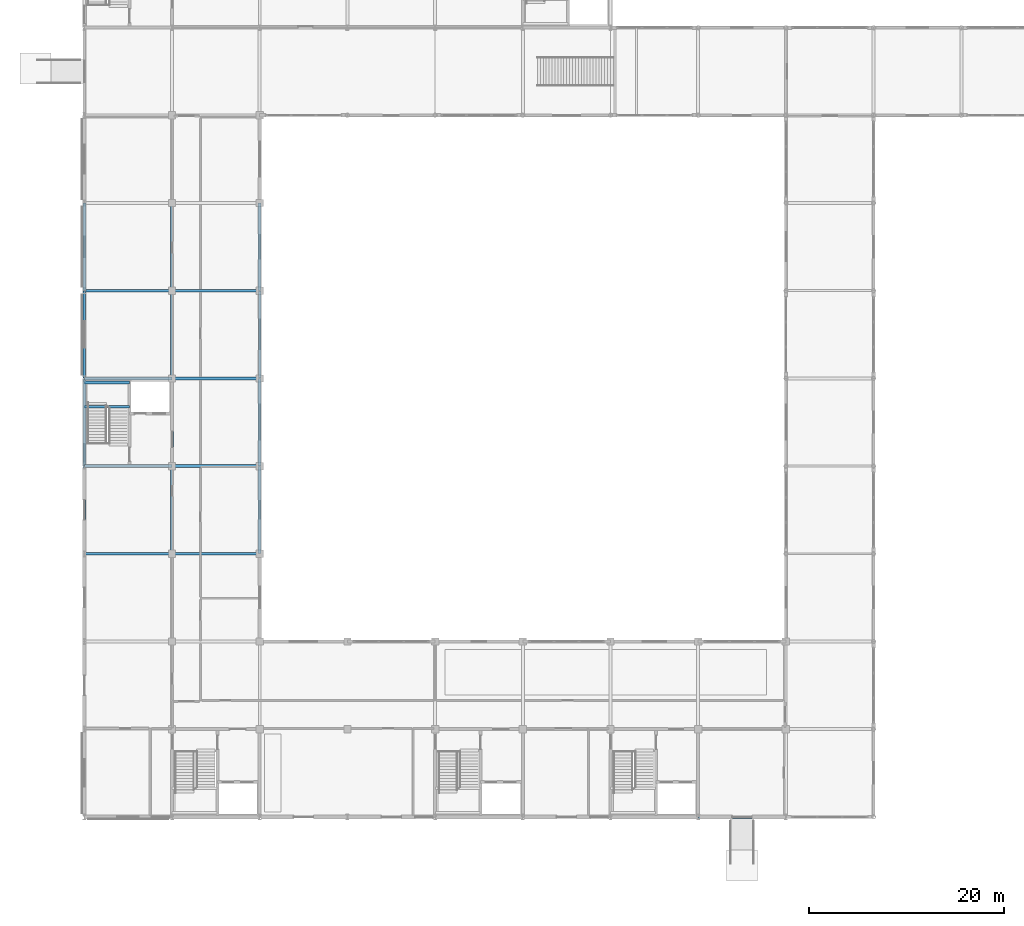
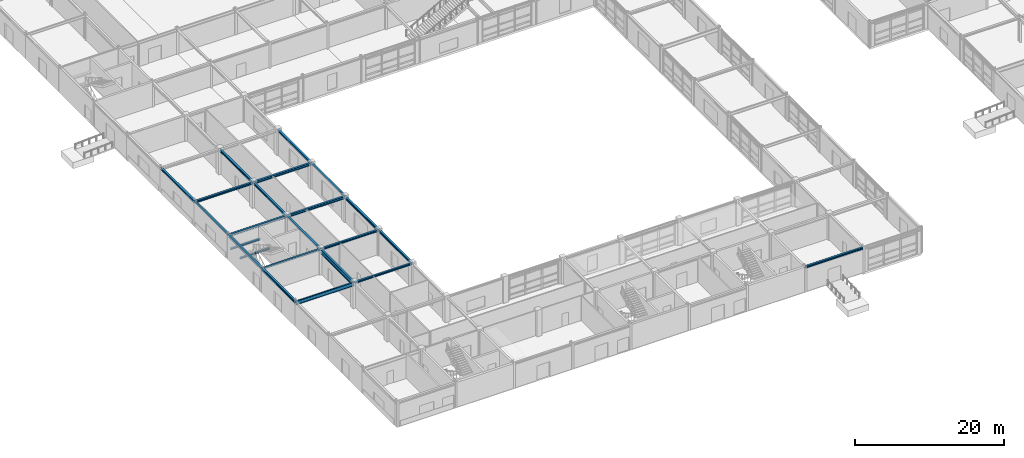
# One storey, part 22 of 72: 23 beams.
"""IFC4 building model written with IfcOpenShell, lengths in metres."""

from ifc_helpers import new_model, si_unit, direction, frame, origin, origin_2d, place, context, subcontext, project, spatial, i_section, extrude, material, material_profile, profile_set, type_object, element, save


model = new_model("IFC4")

# Units and contexts
model_context = context("Model", 3, precision=1e-05, world=origin(), true_north=direction((0.0, 1.0)))
body_context = subcontext(model_context, "Body", "Model", "MODEL_VIEW")
ifc_project = project(units=[si_unit("LENGTHUNIT", "METRE"), si_unit("AREAUNIT", "SQUARE_METRE"), si_unit("VOLUMEUNIT", "CUBIC_METRE"), si_unit("PLANEANGLEUNIT", "RADIAN"), si_unit("MASSUNIT", "GRAM", prefix="KILO")], contexts=[model_context])

# Site, building, storey
site_placement = place(None, origin())
site = spatial("IfcSite", under=ifc_project, at=site_placement, CompositionType="ELEMENT")
building_placement = place(site_placement, origin())
building = spatial("IfcBuilding", under=site, at=building_placement, Name="Palais des Congres Ocreval", CompositionType="ELEMENT")
storey_placement = place(building_placement, origin())
storey = spatial("IfcBuildingStorey", under=building, at=storey_placement, Name="L00", CompositionType="ELEMENT", Elevation=0.0)

# Beams
ifc_material = material(Name="Steel S355", Category="steel")
ifc_material_profile_1 = material_profile(ifc_material, i_section(OverallWidth=0.219970703125, OverallDepth=0.60009765625, WebThickness=0.011962890625, FlangeThickness=0.01904296875, at=origin_2d()), Name="IPE 600")
ifc_profile_set_1 = profile_set([ifc_material_profile_1], Name="Steel S355")
beam_type_1 = type_object("IfcBeamType", Name="Composite Beam IPE 600 Steel S355", PredefinedType="BEAM", material=ifc_profile_set_1)
beam_1_placement = place(storey_placement, frame((0.02001953125, 27.0, 3.7548828125), z_axis=(1.0, 0.0, 0.0), x_axis=(0.0, 1.0, 0.0)))
element("IfcBeam", 1, at=beam_1_placement, inside=storey, type_object=beam_type_1, Name="Beam B06 L00", PredefinedType="BEAM", context=body_context, shape_type="SweptSolid", body=[
    extrude(i_section(OverallWidth=0.219970703125, OverallDepth=0.60009765625, WebThickness=0.011962890625, FlangeThickness=0.01904296875, at=origin_2d()), origin(), (0.0, 0.0, 1.0), 8.9599609375),
])
ifc_material_profile_2 = material_profile(ifc_material, i_section(OverallWidth=0.260009765625, OverallDepth=0.260009765625, WebThickness=0.010009765625, FlangeThickness=0.017578125, at=origin_2d()), Name="HEB 260")
ifc_profile_set_2 = profile_set([ifc_material_profile_2], Name="Steel S355")
beam_type_2 = type_object("IfcBeamType", Name="Opening Lintel HEB 260 Steel S355", PredefinedType="LINTEL", material=ifc_profile_set_2)
for number, where, z_axis, x_axis, name in (
    (2, (0.0, 45.02001953125, 3.925048828125), (0.0, 1.0, 0.0), (-1.0, 0.0, 0.0), "Girder LN01 L00"),
    (3, (18.0, 45.02001953125, 3.925048828125), (0.0, 1.0, 0.0), (-1.0, 0.0, 0.0), "Girder LN01 L00"),
):
    element("IfcBeam", number, at=place(storey_placement, frame(where, z_axis=z_axis, x_axis=x_axis)), inside=storey, type_object=beam_type_2, Name=name, PredefinedType="LINTEL", context=body_context, shape_type="SweptSolid", body=[
        extrude(i_section(OverallWidth=0.260009765625, OverallDepth=0.260009765625, WebThickness=0.010009765625, FlangeThickness=0.017578125, at=origin_2d()), origin(), (0.0, 0.0, 1.0), 8.9599609375),
    ])
for number, where, z_axis, x_axis, name in (
    (4, (0.02001953125, 42.070068359375, 1.909912109375), (1.0, 0.0, 0.0), (0.0, 1.0, 0.0), "Stair Landing Support Beam ST03 L00-1"),
    (5, (0.02001953125, 44.580078125, 1.909912109375), (1.0, 0.0, 0.0), (0.0, 1.0, 0.0), "Stair Landing Support Beam ST03 L00-2"),
):
    element("IfcBeam", number, at=place(storey_placement, frame(where, z_axis=z_axis, x_axis=x_axis)), inside=storey, type_object=beam_type_2, Name=name, PredefinedType="LINTEL", context=body_context, shape_type="SweptSolid", body=[
        extrude(i_section(OverallWidth=0.260009765625, OverallDepth=0.260009765625, WebThickness=0.010009765625, FlangeThickness=0.017578125, at=origin_2d()), origin(), (0.0, 0.0, 1.0), 4.60986328125),
    ])
ifc_material_profile_3 = material_profile(ifc_material, i_section(OverallWidth=0.300048828125, OverallDepth=0.300048828125, WebThickness=0.010986328125, FlangeThickness=0.01904296875, at=origin_2d()), Name="HEB 300")
ifc_profile_set_3 = profile_set([ifc_material_profile_3], Name="Steel S355")
beam_type_3 = type_object("IfcBeamType", Name="Perimeter Spandrel HEB 300 Steel S355", PredefinedType="SPANDREL", material=ifc_profile_set_3)
for number, where, z_axis, x_axis, name in (
    (6, (0.0, 54.02001953125, 3.905029296875), (0.0, 1.0, 0.0), (-1.0, 0.0, 0.0), "Girder SP02 L00"),
    (7, (18.0, 54.02001953125, 3.905029296875), (0.0, 1.0, 0.0), (-1.0, 0.0, 0.0), "Girder SP02 L00"),
    (8, (63.02001953125, 0.0, 3.905029296875), (1.0, 0.0, 0.0), (0.0, 1.0, 0.0), "Beam SP02 L00"),
):
    element("IfcBeam", number, at=place(storey_placement, frame(where, z_axis=z_axis, x_axis=x_axis)), inside=storey, type_object=beam_type_3, Name=name, PredefinedType="SPANDREL", context=body_context, shape_type="SweptSolid", body=[
        extrude(i_section(OverallWidth=0.300048828125, OverallDepth=0.300048828125, WebThickness=0.010986328125, FlangeThickness=0.01904296875, at=origin_2d()), origin(), (0.0, 0.0, 1.0), 8.9599609375),
    ])
ifc_material_profile_4 = material_profile(ifc_material, i_section(OverallWidth=0.300048828125, OverallDepth=0.360107421875, WebThickness=0.012451171875, FlangeThickness=0.0224609375, at=origin_2d()), Name="HEB 360")
ifc_profile_set_4 = profile_set([ifc_material_profile_4], Name="Steel S355")
beam_type_4 = type_object("IfcBeamType", Name="Perimeter Spandrel HEB 360 Steel S355", PredefinedType="SPANDREL", material=ifc_profile_set_4)
for number, where, z_axis, x_axis, name in (
    (9, (0.0, 27.02001953125, 3.875), (0.0, 1.0, 0.0), (-1.0, 0.0, 0.0), "Girder SP03 L00"),
    (10, (0.02001953125, 45.0, 3.875), (1.0, 0.0, 0.0), (0.0, 1.0, 0.0), "Beam SP03 L00"),
    (11, (18.0, 27.02001953125, 3.875), (0.0, 1.0, 0.0), (-1.0, 0.0, 0.0), "Girder SP03 L00"),
):
    element("IfcBeam", number, at=place(storey_placement, frame(where, z_axis=z_axis, x_axis=x_axis)), inside=storey, type_object=beam_type_4, Name=name, PredefinedType="SPANDREL", context=body_context, shape_type="SweptSolid", body=[
        extrude(i_section(OverallWidth=0.300048828125, OverallDepth=0.360107421875, WebThickness=0.012451171875, FlangeThickness=0.0224609375, at=origin_2d()), origin(), (0.0, 0.0, 1.0), 8.9599609375),
    ])
ifc_material_profile_5 = material_profile(ifc_material, i_section(OverallWidth=0.300048828125, OverallDepth=0.39990234375, WebThickness=0.013427734375, FlangeThickness=0.02392578125, at=origin_2d()), Name="HEB 400")
ifc_profile_set_5 = profile_set([ifc_material_profile_5], Name="Steel S355")
beam_type_5 = type_object("IfcBeamType", Name="Perimeter Spandrel HEB 400 Steel S355", PredefinedType="SPANDREL", material=ifc_profile_set_5)
for number, where, z_axis, x_axis, name in (
    (12, (0.0, 36.02001953125, 3.85498046875), (0.0, 1.0, 0.0), (-1.0, 0.0, 0.0), "Girder SP04 L00"),
    (13, (9.02001953125, 45.0, 3.85498046875), (1.0, 0.0, 0.0), (0.0, 1.0, 0.0), "Beam SP04 L00"),
    (14, (18.0, 36.02001953125, 3.85498046875), (0.0, 1.0, 0.0), (-1.0, 0.0, 0.0), "Girder SP04 L00"),
):
    element("IfcBeam", number, at=place(storey_placement, frame(where, z_axis=z_axis, x_axis=x_axis)), inside=storey, type_object=beam_type_5, Name=name, PredefinedType="SPANDREL", context=body_context, shape_type="SweptSolid", body=[
        extrude(i_section(OverallWidth=0.300048828125, OverallDepth=0.39990234375, WebThickness=0.013427734375, FlangeThickness=0.02392578125, at=origin_2d()), origin(), (0.0, 0.0, 1.0), 8.9599609375),
    ])
ifc_material_profile_6 = material_profile(ifc_material, i_section(OverallWidth=0.280029296875, OverallDepth=0.27001953125, WebThickness=0.008056640625, FlangeThickness=0.012939453125, at=origin_2d()), Name="HEA 280")
ifc_profile_set_6 = profile_set([ifc_material_profile_6], Name="Steel S355")
beam_type_6 = type_object("IfcBeamType", Name="Primary Beam HEA 280 Steel S355", PredefinedType="BEAM", material=ifc_profile_set_6)
for number, where, z_axis, x_axis, name in (
    (15, (0.02001953125, 36.0, 3.919921875), (1.0, 0.0, 0.0), (0.0, 1.0, 0.0), "Beam B07 L00"),
    (16, (9.02001953125, 27.0, 3.919921875), (1.0, 0.0, 0.0), (0.0, 1.0, 0.0), "Beam B07 L00"),
):
    element("IfcBeam", number, at=place(storey_placement, frame(where, z_axis=z_axis, x_axis=x_axis)), inside=storey, type_object=beam_type_6, Name=name, PredefinedType="BEAM", context=body_context, shape_type="SweptSolid", body=[
        extrude(i_section(OverallWidth=0.280029296875, OverallDepth=0.27001953125, WebThickness=0.008056640625, FlangeThickness=0.012939453125, at=origin_2d()), origin(), (0.0, 0.0, 1.0), 8.9599609375),
    ])
ifc_material_profile_7 = material_profile(ifc_material, i_section(OverallWidth=0.300048828125, OverallDepth=0.2900390625, WebThickness=0.008544921875, FlangeThickness=0.013916015625, at=origin_2d()), Name="HEA 300")
ifc_profile_set_7 = profile_set([ifc_material_profile_7], Name="Steel S355")
beam_type_7 = type_object("IfcBeamType", Name="Primary Beam HEA 300 Steel S355", PredefinedType="BEAM", material=ifc_profile_set_7)
for number, where, z_axis, x_axis, name in (
    (17, (9.02001953125, 36.0, 3.909912109375), (1.0, 0.0, 0.0), (0.0, 1.0, 0.0), "Beam B08 L00"),
    (18, (9.0, 36.02001953125, 3.909912109375), (0.0, 1.0, 0.0), (-1.0, 0.0, 0.0), "Girder B08 L00"),
):
    element("IfcBeam", number, at=place(storey_placement, frame(where, z_axis=z_axis, x_axis=x_axis)), inside=storey, type_object=beam_type_7, Name=name, PredefinedType="BEAM", context=body_context, shape_type="SweptSolid", body=[
        extrude(i_section(OverallWidth=0.300048828125, OverallDepth=0.2900390625, WebThickness=0.008544921875, FlangeThickness=0.013916015625, at=origin_2d()), origin(), (0.0, 0.0, 1.0), 8.9599609375),
    ])
ifc_material_profile_8 = material_profile(ifc_material, i_section(OverallWidth=0.300048828125, OverallDepth=0.330078125, WebThickness=0.009521484375, FlangeThickness=0.0166015625, at=origin_2d()), Name="HEA 340")
ifc_profile_set_8 = profile_set([ifc_material_profile_8], Name="Steel S355")
beam_type_8 = type_object("IfcBeamType", Name="Primary Beam HEA 340 Steel S355", PredefinedType="BEAM", material=ifc_profile_set_8)
for number, where, z_axis, x_axis, name in (
    (19, (0.02001953125, 54.0, 3.889892578125), (1.0, 0.0, 0.0), (0.0, 1.0, 0.0), "Beam B09 L00"),
    (20, (9.0, 45.02001953125, 3.889892578125), (0.0, 1.0, 0.0), (-1.0, 0.0, 0.0), "Girder B09 L00"),
):
    element("IfcBeam", number, at=place(storey_placement, frame(where, z_axis=z_axis, x_axis=x_axis)), inside=storey, type_object=beam_type_8, Name=name, PredefinedType="BEAM", context=body_context, shape_type="SweptSolid", body=[
        extrude(i_section(OverallWidth=0.300048828125, OverallDepth=0.330078125, WebThickness=0.009521484375, FlangeThickness=0.0166015625, at=origin_2d()), origin(), (0.0, 0.0, 1.0), 8.9599609375),
    ])
ifc_material_profile_9 = material_profile(ifc_material, i_section(OverallWidth=0.300048828125, OverallDepth=0.389892578125, WebThickness=0.010986328125, FlangeThickness=0.01904296875, at=origin_2d()), Name="HEA 400")
ifc_profile_set_9 = profile_set([ifc_material_profile_9], Name="Steel S355")
beam_type_9 = type_object("IfcBeamType", Name="Primary Beam HEA 400 Steel S355", PredefinedType="BEAM", material=ifc_profile_set_9)
for number, where, z_axis, x_axis, name in (
    (21, (9.02001953125, 54.0, 3.860107421875), (1.0, 0.0, 0.0), (0.0, 1.0, 0.0), "Beam B10 L00"),
    (22, (9.0, 54.02001953125, 3.860107421875), (0.0, 1.0, 0.0), (-1.0, 0.0, 0.0), "Girder B10 L00"),
):
    element("IfcBeam", number, at=place(storey_placement, frame(where, z_axis=z_axis, x_axis=x_axis)), inside=storey, type_object=beam_type_9, Name=name, PredefinedType="BEAM", context=body_context, shape_type="SweptSolid", body=[
        extrude(i_section(OverallWidth=0.300048828125, OverallDepth=0.389892578125, WebThickness=0.010986328125, FlangeThickness=0.01904296875, at=origin_2d()), origin(), (0.0, 0.0, 1.0), 8.9599609375),
    ])
ifc_material_profile_10 = material_profile(ifc_material, i_section(OverallWidth=0.300048828125, OverallDepth=0.68994140625, WebThickness=0.014404296875, FlangeThickness=0.027099609375, at=origin_2d()), Name="HEA 700")
ifc_profile_set_10 = profile_set([ifc_material_profile_10], Name="Steel S355")
beam_type_10 = type_object("IfcBeamType", Name="Primary Girder HEA 700 Steel S355", PredefinedType="BEAM", material=ifc_profile_set_10)
beam_2_placement = place(storey_placement, frame((9.0, 27.02001953125, 3.7099609375), z_axis=(0.0, 1.0, 0.0), x_axis=(-1.0, 0.0, 0.0)))
element("IfcBeam", 23, at=beam_2_placement, inside=storey, type_object=beam_type_10, Name="Girder B14 L00", PredefinedType="BEAM", context=body_context, shape_type="SweptSolid", body=[
    extrude(i_section(OverallWidth=0.300048828125, OverallDepth=0.68994140625, WebThickness=0.014404296875, FlangeThickness=0.027099609375, at=origin_2d()), origin(), (0.0, 0.0, 1.0), 8.9599609375),
])

save(model, "model.ifc")
